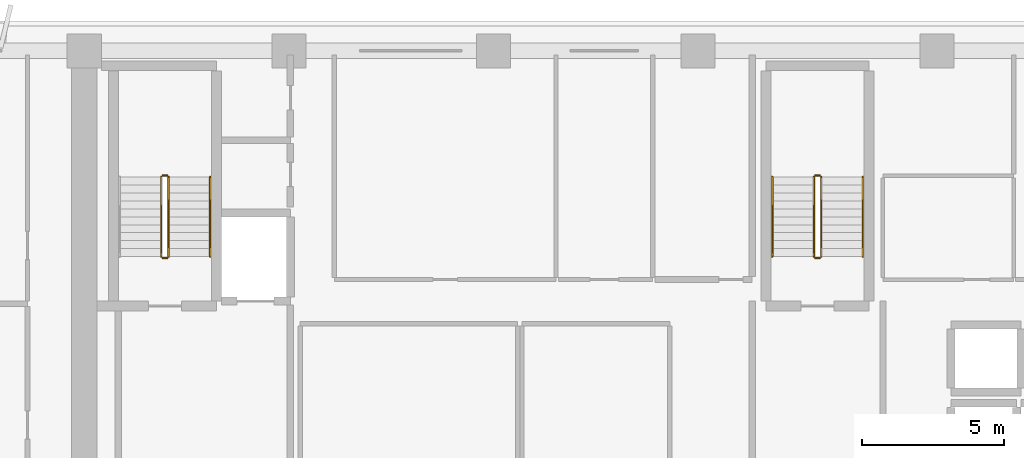
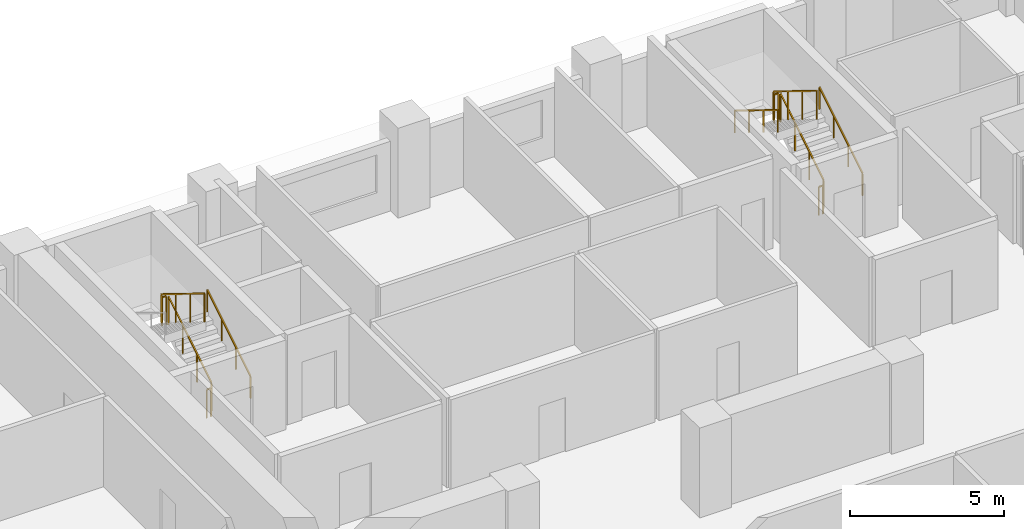
# One storey, part 12 of 14: 11 railings.
"""IFC4 building model written with IfcOpenShell, lengths in metres."""

from ifc_helpers import new_model, si_unit, direction, frame, origin, origin_2d, place, context, subcontext, project, spatial, rectangle, extrude, material, type_object, element, save


model = new_model("IFC4")

# Units and contexts
model_context = context("Model", 3, precision=1e-05, world=origin(), true_north=direction((0.0, 1.0)))
body_context = subcontext(model_context, "Body", "Model", "MODEL_VIEW")
ifc_project = project(units=[si_unit("LENGTHUNIT", "METRE"), si_unit("AREAUNIT", "SQUARE_METRE"), si_unit("VOLUMEUNIT", "CUBIC_METRE"), si_unit("PLANEANGLEUNIT", "RADIAN"), si_unit("MASSUNIT", "GRAM", prefix="KILO")], contexts=[model_context])

# Site, building, storey
site_placement = place(None, origin())
site = spatial("IfcSite", under=ifc_project, at=site_placement, CompositionType="ELEMENT")
building_placement = place(site_placement, origin())
building = spatial("IfcBuilding", under=site, at=building_placement, Name="Kaelvorn Grand Hotel", CompositionType="ELEMENT")
storey_placement = place(building_placement, frame((0.0, 0.0, 205.35009765625)))
storey = spatial("IfcBuildingStorey", under=building, at=storey_placement, Name="L50", CompositionType="ELEMENT", Elevation=205.35009765625)

# Railings
ifc_material = material(Name="Stainless Steel", Category="steel")
railing_type_1 = type_object("IfcRailingType", Name="RL-HANDRAIL-900", PredefinedType="HANDRAIL", material=ifc_material)
for number, where, name in (
    (1, (20.6298828125, 41.760009765625, 0.172607421875), "L50 ST1 stair handrail 1"),
    (2, (43.590087890625, 41.760009765625, 0.172607421875), "L50 ST2 stair handrail 1"),
):
    element("IfcRailing", number, at=place(storey_placement, frame(where)), inside=storey, type_object=railing_type_1, Name=name, PredefinedType="HANDRAIL", context=body_context, shape_type="SweptSolid", body=[
        extrude(rectangle(XDim=0.048095703125, YDim=0.048095703125, at=origin_2d()), frame((0.0, 0.0, 0.8759765625), z_axis=(0.0, 0.851089632645, 0.525020415988), x_axis=(-1.0, 0.0, 0.0)), (0.0, 0.0, 1.0), 3.2900390625),
        extrude(rectangle(XDim=0.0419921875, YDim=0.0419921875, at=origin_2d()), origin(), (0.0, 0.0, 1.0), 0.851806640625),
        extrude(rectangle(XDim=0.0419921875, YDim=0.0419921875, at=origin_2d()), frame((0.0, 0.933349609375, 0.57568359375)), (0.0, 0.0, 1.0), 0.851806640625),
        extrude(rectangle(XDim=0.0419921875, YDim=0.0419921875, at=origin_2d()), frame((0.0, 1.86669921875, 1.151611328125)), (0.0, 0.0, 1.0), 0.851806640625),
        extrude(rectangle(XDim=0.0419921875, YDim=0.0419921875, at=origin_2d()), frame((0.0, 2.800048828125, 1.727294921875)), (0.0, 0.0, 1.0), 0.851806640625),
    ])
railing_1_placement = place(storey_placement, frame((40.409912109375, 44.56005859375, 2.072509765625)))
element("IfcRailing", 3, at=railing_1_placement, inside=storey, type_object=railing_type_1, Name="L50 ST2 stair handrail 2", PredefinedType="HANDRAIL", context=body_context, shape_type="SweptSolid", body=[
    extrude(rectangle(XDim=0.048095703125, YDim=0.048095703125, at=origin_2d()), frame((0.0, 0.0, 0.8759765625), z_axis=(0.0, -0.851089632645, 0.525020415988), x_axis=(1.0, 0.0, 0.0)), (0.0, 0.0, 1.0), 3.2900390625),
    extrude(rectangle(XDim=0.0419921875, YDim=0.0419921875, at=origin_2d()), origin(), (0.0, 0.0, 1.0), 0.851806640625),
    extrude(rectangle(XDim=0.0419921875, YDim=0.0419921875, at=origin_2d()), frame((0.0, -0.933349609375, 0.57568359375)), (0.0, 0.0, 1.0), 0.851806640625),
    extrude(rectangle(XDim=0.0419921875, YDim=0.0419921875, at=origin_2d()), frame((0.0, -1.86669921875, 1.151611328125)), (0.0, 0.0, 1.0), 0.851806640625),
    extrude(rectangle(XDim=0.0419921875, YDim=0.0419921875, at=origin_2d()), frame((0.0, -2.800048828125, 1.727294921875)), (0.0, 0.0, 1.0), 0.851806640625),
])
railing_type_2 = type_object("IfcRailingType", Name="RL-STAIR-GUARD-1150", PredefinedType="BALUSTRADE", material=ifc_material)
railing_2_placement = place(storey_placement, frame((19.169921875, 41.760009765625, 0.172607421875)))
element("IfcRailing", 4, at=railing_2_placement, inside=storey, type_object=railing_type_2, Name="L50 ST1 stair guard 1", PredefinedType="BALUSTRADE", context=body_context, shape_type="SweptSolid", body=[
    extrude(rectangle(XDim=0.048095703125, YDim=0.048095703125, at=origin_2d()), frame((0.0, 0.0, 1.1259765625), z_axis=(0.0, 0.851089632645, 0.525020415988), x_axis=(-1.0, 0.0, 0.0)), (0.0, 0.0, 1.0), 3.2900390625),
    extrude(rectangle(XDim=0.0419921875, YDim=0.0419921875, at=origin_2d()), origin(), (0.0, 0.0, 1.0), 1.101806640625),
    extrude(rectangle(XDim=0.0419921875, YDim=0.0419921875, at=origin_2d()), frame((0.0, 0.933349609375, 0.57568359375)), (0.0, 0.0, 1.0), 1.101806640625),
    extrude(rectangle(XDim=0.0419921875, YDim=0.0419921875, at=origin_2d()), frame((0.0, 1.86669921875, 1.151611328125)), (0.0, 0.0, 1.0), 1.101806640625),
    extrude(rectangle(XDim=0.0419921875, YDim=0.0419921875, at=origin_2d()), frame((0.0, 2.800048828125, 1.727294921875)), (0.0, 0.0, 1.0), 1.101806640625),
])
railing_3_placement = place(storey_placement, frame((19.1201171875, 44.610107421875, 1.89990234375)))
element("IfcRailing", 5, at=railing_3_placement, inside=storey, type_object=railing_type_2, Name="L50 ST1 stair guard 2", PredefinedType="BALUSTRADE", context=body_context, shape_type="SweptSolid", body=[
    extrude(rectangle(XDim=0.048095703125, YDim=0.048095703125, at=origin_2d()), frame((0.0, 0.0, 1.1259765625), z_axis=(-1.0, 0.0, 0.0), x_axis=(0.0, -1.0, 0.0)), (0.0, 0.0, 1.0), 0.16015625),
    extrude(rectangle(XDim=0.0419921875, YDim=0.0419921875, at=origin_2d()), origin(), (0.0, 0.0, 1.0), 1.101806640625),
    extrude(rectangle(XDim=0.0419921875, YDim=0.0419921875, at=origin_2d()), frame((-0.16015625, 0.0, 0.0)), (0.0, 0.0, 1.0), 1.101806640625),
])
railing_4_placement = place(storey_placement, frame((18.909912109375, 44.56005859375, 2.072509765625)))
element("IfcRailing", 6, at=railing_4_placement, inside=storey, type_object=railing_type_2, Name="L50 ST1 stair guard 3", PredefinedType="BALUSTRADE", context=body_context, shape_type="SweptSolid", body=[
    extrude(rectangle(XDim=0.048095703125, YDim=0.048095703125, at=origin_2d()), frame((0.0, 0.0, 1.1259765625), z_axis=(0.0, -0.851089632645, 0.525020415988), x_axis=(1.0, 0.0, 0.0)), (0.0, 0.0, 1.0), 3.2900390625),
    extrude(rectangle(XDim=0.0419921875, YDim=0.0419921875, at=origin_2d()), origin(), (0.0, 0.0, 1.0), 1.101806640625),
    extrude(rectangle(XDim=0.0419921875, YDim=0.0419921875, at=origin_2d()), frame((0.0, -0.933349609375, 0.57568359375)), (0.0, 0.0, 1.0), 1.101806640625),
    extrude(rectangle(XDim=0.0419921875, YDim=0.0419921875, at=origin_2d()), frame((0.0, -1.86669921875, 1.151611328125)), (0.0, 0.0, 1.0), 1.101806640625),
    extrude(rectangle(XDim=0.0419921875, YDim=0.0419921875, at=origin_2d()), frame((0.0, -2.800048828125, 1.727294921875)), (0.0, 0.0, 1.0), 1.101806640625),
])
railing_5_placement = place(storey_placement, frame((19.1201171875, 41.7099609375, 0.0)))
element("IfcRailing", 7, at=railing_5_placement, inside=storey, type_object=railing_type_2, Name="L50 ST1 stair guard 4", PredefinedType="BALUSTRADE", context=body_context, shape_type="SweptSolid", body=[
    extrude(rectangle(XDim=0.048095703125, YDim=0.048095703125, at=origin_2d()), frame((0.0, 0.0, 1.1259765625), z_axis=(-1.0, 0.0, 0.0), x_axis=(0.0, -1.0, 0.0)), (0.0, 0.0, 1.0), 0.16015625),
    extrude(rectangle(XDim=0.0419921875, YDim=0.0419921875, at=origin_2d()), origin(), (0.0, 0.0, 1.0), 1.101806640625),
    extrude(rectangle(XDim=0.0419921875, YDim=0.0419921875, at=origin_2d()), frame((-0.16015625, 0.0, 0.0)), (0.0, 0.0, 1.0), 1.101806640625),
])
railing_6_placement = place(storey_placement, frame((42.1298828125, 41.760009765625, 0.172607421875)))
element("IfcRailing", 8, at=railing_6_placement, inside=storey, type_object=railing_type_2, Name="L50 ST2 stair guard 1", PredefinedType="BALUSTRADE", context=body_context, shape_type="SweptSolid", body=[
    extrude(rectangle(XDim=0.048095703125, YDim=0.048095703125, at=origin_2d()), frame((0.0, 0.0, 1.1259765625), z_axis=(0.0, 0.851089632645, 0.525020415988), x_axis=(-1.0, 0.0, 0.0)), (0.0, 0.0, 1.0), 3.2900390625),
    extrude(rectangle(XDim=0.0419921875, YDim=0.0419921875, at=origin_2d()), origin(), (0.0, 0.0, 1.0), 1.101806640625),
    extrude(rectangle(XDim=0.0419921875, YDim=0.0419921875, at=origin_2d()), frame((0.0, 0.933349609375, 0.57568359375)), (0.0, 0.0, 1.0), 1.101806640625),
    extrude(rectangle(XDim=0.0419921875, YDim=0.0419921875, at=origin_2d()), frame((0.0, 1.86669921875, 1.151611328125)), (0.0, 0.0, 1.0), 1.101806640625),
    extrude(rectangle(XDim=0.0419921875, YDim=0.0419921875, at=origin_2d()), frame((0.0, 2.800048828125, 1.727294921875)), (0.0, 0.0, 1.0), 1.101806640625),
])
railing_7_placement = place(storey_placement, frame((42.080078125, 44.610107421875, 1.89990234375)))
element("IfcRailing", 9, at=railing_7_placement, inside=storey, type_object=railing_type_2, Name="L50 ST2 stair guard 2", PredefinedType="BALUSTRADE", context=body_context, shape_type="SweptSolid", body=[
    extrude(rectangle(XDim=0.048095703125, YDim=0.048095703125, at=origin_2d()), frame((0.0, 0.0, 1.1259765625), z_axis=(-1.0, 0.0, 0.0), x_axis=(0.0, -1.0, 0.0)), (0.0, 0.0, 1.0), 0.16015625),
    extrude(rectangle(XDim=0.0419921875, YDim=0.0419921875, at=origin_2d()), origin(), (0.0, 0.0, 1.0), 1.101806640625),
    extrude(rectangle(XDim=0.0419921875, YDim=0.0419921875, at=origin_2d()), frame((-0.16015625, 0.0, 0.0)), (0.0, 0.0, 1.0), 1.101806640625),
])
railing_8_placement = place(storey_placement, frame((41.8701171875, 44.56005859375, 2.072509765625)))
element("IfcRailing", 10, at=railing_8_placement, inside=storey, type_object=railing_type_2, Name="L50 ST2 stair guard 3", PredefinedType="BALUSTRADE", context=body_context, shape_type="SweptSolid", body=[
    extrude(rectangle(XDim=0.048095703125, YDim=0.048095703125, at=origin_2d()), frame((0.0, 0.0, 1.1259765625), z_axis=(0.0, -0.851089632645, 0.525020415988), x_axis=(1.0, 0.0, 0.0)), (0.0, 0.0, 1.0), 3.2900390625),
    extrude(rectangle(XDim=0.0419921875, YDim=0.0419921875, at=origin_2d()), origin(), (0.0, 0.0, 1.0), 1.101806640625),
    extrude(rectangle(XDim=0.0419921875, YDim=0.0419921875, at=origin_2d()), frame((0.0, -0.933349609375, 0.57568359375)), (0.0, 0.0, 1.0), 1.101806640625),
    extrude(rectangle(XDim=0.0419921875, YDim=0.0419921875, at=origin_2d()), frame((0.0, -1.86669921875, 1.151611328125)), (0.0, 0.0, 1.0), 1.101806640625),
    extrude(rectangle(XDim=0.0419921875, YDim=0.0419921875, at=origin_2d()), frame((0.0, -2.800048828125, 1.727294921875)), (0.0, 0.0, 1.0), 1.101806640625),
])
railing_9_placement = place(storey_placement, frame((42.080078125, 41.7099609375, 0.0)))
element("IfcRailing", 11, at=railing_9_placement, inside=storey, type_object=railing_type_2, Name="L50 ST2 stair guard 4", PredefinedType="BALUSTRADE", context=body_context, shape_type="SweptSolid", body=[
    extrude(rectangle(XDim=0.048095703125, YDim=0.048095703125, at=origin_2d()), frame((0.0, 0.0, 1.1259765625), z_axis=(-1.0, 0.0, 0.0), x_axis=(0.0, -1.0, 0.0)), (0.0, 0.0, 1.0), 0.16015625),
    extrude(rectangle(XDim=0.0419921875, YDim=0.0419921875, at=origin_2d()), origin(), (0.0, 0.0, 1.0), 1.101806640625),
    extrude(rectangle(XDim=0.0419921875, YDim=0.0419921875, at=origin_2d()), frame((-0.16015625, 0.0, 0.0)), (0.0, 0.0, 1.0), 1.101806640625),
])

save(model, "model.ifc")
